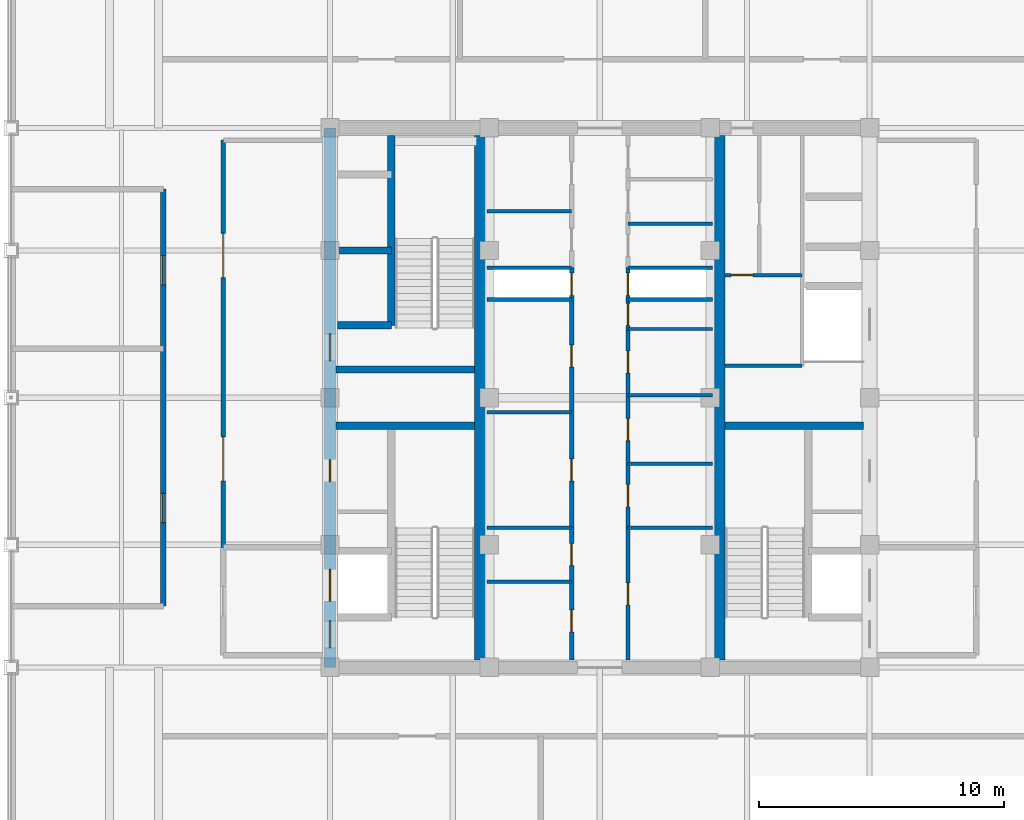
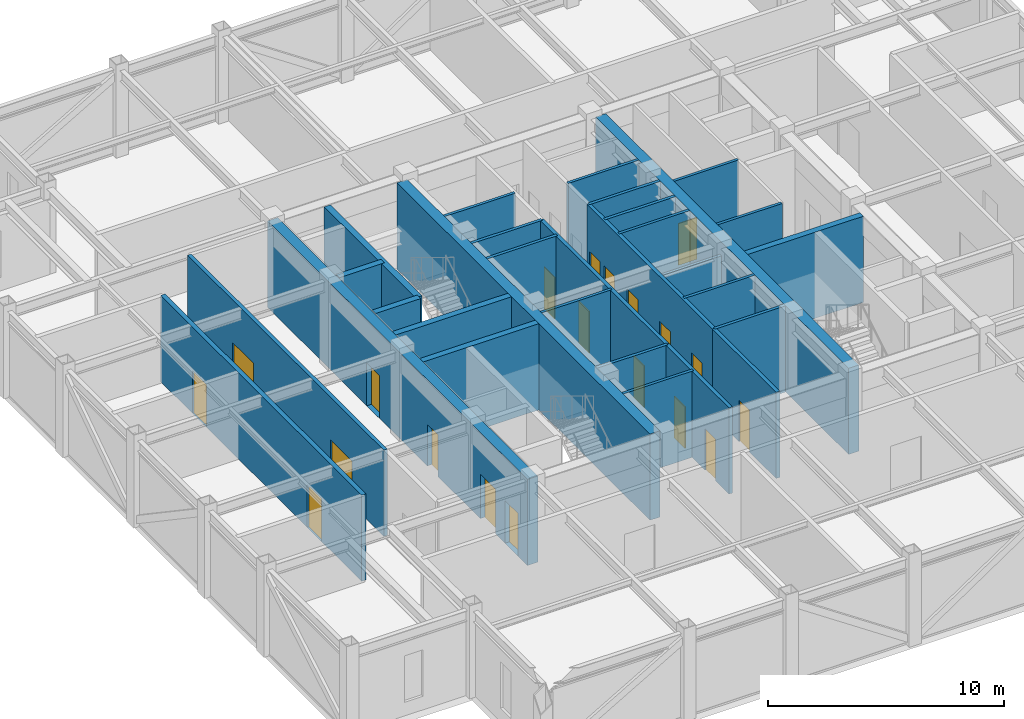
# One storey, part 24 of 27: 30 walls, 20 doors, 20 openings.
"""IFC4 building model written with IfcOpenShell, lengths in metres."""

from ifc_helpers import new_model, si_unit, direction, frame, frame_2d, origin, place, context, subcontext, project, spatial, rectangle, extrude, source, transform, mapped, material, layer, layer_set, type_object, element, fill, save


model = new_model("IFC4")

# Units and contexts
model_context = context("Model", 3, precision=1e-05, world=origin(), true_north=direction((0.0, 1.0)))
body_context = subcontext(model_context, "Body", "Model", "MODEL_VIEW")
ifc_project = project(units=[si_unit("LENGTHUNIT", "METRE"), si_unit("AREAUNIT", "SQUARE_METRE"), si_unit("VOLUMEUNIT", "CUBIC_METRE"), si_unit("PLANEANGLEUNIT", "RADIAN"), si_unit("MASSUNIT", "GRAM", prefix="KILO")], contexts=[model_context])

# Site, building, storey
site_placement = place(None, origin())
site = spatial("IfcSite", under=ifc_project, at=site_placement, CompositionType="ELEMENT")
building_placement = place(site_placement, origin())
building = spatial("IfcBuilding", under=site, at=building_placement, Name="Khorayat Bourse Tower", CompositionType="ELEMENT")
storey_placement = place(building_placement, frame((0.0, 0.0, 385.10009765625)))
storey = spatial("IfcBuildingStorey", under=building, at=storey_placement, Name="L91", CompositionType="ELEMENT", Elevation=385.10009765625)

# Wall, openings, doors
ifc_material_1 = material(Name="Concrete C52/65", Category="concrete")
ifc_layer_1 = layer(ifc_material_1, 0.5)
ifc_layer_set_1 = layer_set([ifc_layer_1], Name="Concrete C52/65")
wall_type_1 = type_object("IfcWallType", Name="WAL-CORE-500", PredefinedType="SHEAR", material=ifc_layer_set_1)
shared_shape_1 = source(origin(), body_context, "Body", "SweptSolid", [
    extrude(rectangle(XDim=22.0, YDim=0.5, at=frame_2d((11.0, 0.0))), origin(), (0.0, 0.0, 1.0), 4.449951171875),
])
wall_1_placement = place(storey_placement, frame((-11.0, -11.0, 0.0), z_axis=(0.0, 0.0, 1.0), x_axis=(0.0, 1.0, 0.0)))
wall_1 = element("IfcWall", 1, at=wall_1_placement, inside=storey, type_object=wall_type_1, Name="L91 Core Shear Wall CORE-W", PredefinedType="SHEAR", context=body_context, shape_type="MappedRepresentation", body=[
    mapped(shared_shape_1, transform((0.0, 0.0, 0.0), scale=1.0)),
])
shared_shape_2 = source(origin(), body_context, "Body", "SweptSolid", [
    extrude(rectangle(XDim=1.10009765625, YDim=2.199951171875, at=frame_2d((0.550048828125, 1.10009765625))), frame((0.0, 0.260009765625, 0.0), z_axis=(0.0, -1.0, 0.0), x_axis=(1.0, 0.0, 0.0)), (0.0, 0.0, 1.0), 0.52001953125),
])
opening_1_placement = place(wall_1_placement, frame((0.800048828125, 0.0, 0.0)))
opening_1 = element("IfcOpeningElement", 2, at=opening_1_placement, cuts=wall_1, Name="Opening DI-01", PredefinedType="OPENING", context=body_context, shape_type="MappedRepresentation", body=[
    mapped(shared_shape_2, transform((0.0, 0.0, 0.0), scale=1.0)),
])
opening_2_placement = place(wall_1_placement, frame((12.5, 0.0, 0.0)))
opening_2 = element("IfcOpeningElement", 3, at=opening_2_placement, cuts=wall_1, Name="Opening DI-01", PredefinedType="OPENING", context=body_context, shape_type="MappedRepresentation", body=[
    mapped(shared_shape_2, transform((0.0, 0.0, 0.0), scale=1.0)),
])
shared_shape_3 = source(origin(), body_context, "Body", "SweptSolid", [
    extrude(rectangle(XDim=0.89990234375, YDim=2.14990234375, at=frame_2d((0.449951171875, 1.074951171875))), frame((0.0, 0.260009765625, 0.0), z_axis=(0.0, -1.0, 0.0), x_axis=(1.0, 0.0, 0.0)), (0.0, 0.0, 1.0), 0.52001953125),
])
opening_3_placement = place(wall_1_placement, frame((7.574951171875, 0.0, 0.0)))
opening_3 = element("IfcOpeningElement", 4, at=opening_3_placement, cuts=wall_1, Name="Opening DI-06", PredefinedType="OPENING", context=body_context, shape_type="MappedRepresentation", body=[
    mapped(shared_shape_3, transform((0.0, 0.0, 0.0), scale=1.0)),
])
shared_shape_4 = source(origin(), body_context, "Body", "SweptSolid", [
    extrude(rectangle(XDim=1.300048828125, YDim=2.300048828125, at=frame_2d((0.64990234375, 1.14990234375))), frame((0.0, 0.260009765625, 0.0), z_axis=(0.0, -1.0, 0.0), x_axis=(1.0, 0.0, 0.0)), (0.0, 0.0, 1.0), 0.52001953125),
])
opening_4_placement = place(wall_1_placement, frame((2.699951171875, 0.0, 0.0)))
opening_4 = element("IfcOpeningElement", 5, at=opening_4_placement, cuts=wall_1, Name="Opening LD-02", PredefinedType="OPENING", context=body_context, shape_type="MappedRepresentation", body=[
    mapped(shared_shape_4, transform((0.0, 0.0, 0.0), scale=1.0)),
])
ifc_material_2 = material(Name="Fire-rated steel acoustic leaf", Category="steel")
door_type_1 = type_object("IfcDoorType", Name="DR-INT-STAIR-1100", OperationType="NOTDEFINED", PredefinedType="DOOR", material=ifc_material_2)
shared_shape_5 = source(origin(), body_context, "Body", "SweptSolid", [
    extrude(rectangle(XDim=1.10009765625, YDim=2.199951171875, at=frame_2d((0.550048828125, 1.10009765625))), frame((0.0, 0.02490234375, 0.0), z_axis=(0.0, -1.0, 0.0), x_axis=(1.0, 0.0, 0.0)), (0.0, 0.0, 1.0), 0.050048828125),
])
door_1_placement = place(opening_1_placement, origin())
door_1 = element("IfcDoor", 6, at=door_1_placement, inside=storey, type_object=door_type_1, Name="L91 Exit Stair 1 Door", OperationType="SINGLE_SWING_RIGHT", OverallHeight=2.199951171875, OverallWidth=1.10009765625, PredefinedType="DOOR", context=body_context, shape_type="MappedRepresentation", body=[
    mapped(shared_shape_5, transform((0.0, 0.0, 0.0), scale=1.0)),
])
fill(opening_1, door_1)
door_2_placement = place(opening_2_placement, origin())
door_2 = element("IfcDoor", 7, at=door_2_placement, inside=storey, type_object=door_type_1, Name="L91 Exit Stair 2 Door", OperationType="SINGLE_SWING_RIGHT", OverallHeight=2.199951171875, OverallWidth=1.10009765625, PredefinedType="DOOR", context=body_context, shape_type="MappedRepresentation", body=[
    mapped(shared_shape_5, transform((0.0, 0.0, 0.0), scale=1.0)),
])
fill(opening_2, door_2)
ifc_material_3 = material(Name="Moisture-resistant laminate washroom door")
door_type_2 = type_object("IfcDoorType", Name="DR-INT-WC-900", OperationType="NOTDEFINED", PredefinedType="DOOR", material=ifc_material_3)
shared_shape_6 = source(origin(), body_context, "Body", "SweptSolid", [
    extrude(rectangle(XDim=0.89990234375, YDim=2.14990234375, at=frame_2d((0.449951171875, 1.074951171875))), frame((0.0, 0.02490234375, 0.0), z_axis=(0.0, -1.0, 0.0), x_axis=(1.0, 0.0, 0.0)), (0.0, 0.0, 1.0), 0.050048828125),
])
door_3_placement = place(opening_3_placement, origin())
door_3 = element("IfcDoor", 8, at=door_3_placement, inside=storey, type_object=door_type_2, Name="L91 UPS Switch Plant Room Door", OperationType="SINGLE_SWING_RIGHT", OverallHeight=2.14990234375, OverallWidth=0.89990234375, PredefinedType="DOOR", context=body_context, shape_type="MappedRepresentation", body=[
    mapped(shared_shape_6, transform((0.0, 0.0, 0.0), scale=1.0)),
])
fill(opening_3, door_3)
ifc_material_4 = material(Name="Fire-rated stainless-steel sliding landing door", Category="steel")
door_type_3 = type_object("IfcDoorType", Name="DR-LIFT-FF-1300", OperationType="NOTDEFINED", PredefinedType="DOOR", material=ifc_material_4)
shared_shape_7 = source(origin(), body_context, "Body", "SweptSolid", [
    extrude(rectangle(XDim=1.300048828125, YDim=2.300048828125, at=frame_2d((0.64990234375, 1.14990234375))), frame((0.0, 0.02490234375, 0.0), z_axis=(0.0, -1.0, 0.0), x_axis=(1.0, 0.0, 0.0)), (0.0, 0.0, 1.0), 0.050048828125),
])
door_4_placement = place(opening_4_placement, origin())
door_4 = element("IfcDoor", 9, at=door_4_placement, inside=storey, type_object=door_type_3, Name="L91 Lift FFL-01 Sliding Landing Door", OperationType="SLIDING_TO_LEFT", OverallHeight=2.300048828125, OverallWidth=1.300048828125, PredefinedType="DOOR", context=body_context, shape_type="MappedRepresentation", body=[
    mapped(shared_shape_7, transform((0.0, 0.0, 0.0), scale=1.0)),
])
fill(opening_4, door_4)

# Walls
shared_shape_8 = source(origin(), body_context, "Body", "SweptSolid", [
    extrude(rectangle(XDim=21.39990234375, YDim=0.5, at=frame_2d((10.699951171875, 0.0))), origin(), (0.0, 0.0, 1.0), 4.449951171875),
])
for number, where, z_axis, x_axis, name in (
    (10, (-4.85009765625, -10.699951171875, 0.0), (0.0, 0.0, 1.0), (0.0, 1.0, 0.0), "L91 Core Shear Wall PIER-W"),
    (11, (4.85009765625, -10.699951171875, 0.0), (0.0, 0.0, 1.0), (0.0, 1.0, 0.0), "L91 Core Shear Wall PIER-E"),
):
    element("IfcWall", number, at=place(storey_placement, frame(where, z_axis=z_axis, x_axis=x_axis)), inside=storey, type_object=wall_type_1, Name=name, PredefinedType="SHEAR", context=body_context, shape_type="MappedRepresentation", body=[
        mapped(shared_shape_8, transform((0.0, 0.0, 0.0), scale=1.0)),
    ])
ifc_material_5 = material(Name="Concrete C50/60", Category="concrete")
ifc_layer_2 = layer(ifc_material_5, 0.300048828125)
ifc_layer_set_2 = layer_set([ifc_layer_2], Name="Concrete C50/60")
wall_type_2 = type_object("IfcWallType", Name="WAL-SHAFT-300", PredefinedType="SHEAR", material=ifc_layer_set_2)
shared_shape_9 = source(origin(), body_context, "Body", "SweptSolid", [
    extrude(rectangle(XDim=5.64990234375, YDim=0.300048828125, at=frame_2d((2.824951171875, 0.0))), origin(), (0.0, 0.0, 1.0), 4.449951171875),
])
for number, where, z_axis, x_axis, name in (
    (12, (-10.75, -1.14990234375, 0.0), (0.0, 0.0, 1.0), (1.0, 0.0, 0.0), "L91 Core Shear Wall ST1-DIV"),
    (13, (-10.75, 1.14990234375, 0.0), (0.0, 0.0, 1.0), (1.0, 0.0, 0.0), "L91 Core Shear Wall ST2-DIV"),
    (14, (5.10009765625, -1.14990234375, 0.0), (0.0, 0.0, 1.0), (1.0, 0.0, 0.0), "L91 Core Shear Wall ST3-DIV"),
):
    element("IfcWall", number, at=place(storey_placement, frame(where, z_axis=z_axis, x_axis=x_axis)), inside=storey, type_object=wall_type_2, Name=name, PredefinedType="SHEAR", context=body_context, shape_type="MappedRepresentation", body=[
        mapped(shared_shape_9, transform((0.0, 0.0, 0.0), scale=1.0)),
    ])
shared_shape_10 = source(origin(), body_context, "Body", "SweptSolid", [
    extrude(rectangle(XDim=2.199951171875, YDim=0.300048828125, at=frame_2d((1.10009765625, 0.0))), origin(), (0.0, 0.0, 1.0), 4.449951171875),
])
for number, where, z_axis, x_axis, name in (
    (15, (-10.699951171875, 2.949951171875, 0.0), (0.0, 0.0, 1.0), (1.0, 0.0, 0.0), "L91 Partition WAL-L91-WPIER-H1S"),
    (16, (-10.699951171875, 6.0, 0.0), (0.0, 0.0, 1.0), (1.0, 0.0, 0.0), "L91 Partition WAL-L91-WPIER-H12"),
):
    element("IfcWall", number, at=place(storey_placement, frame(where, z_axis=z_axis, x_axis=x_axis)), inside=storey, type_object=wall_type_2, Name=name, PredefinedType="SHEAR", context=body_context, shape_type="MappedRepresentation", body=[
        mapped(shared_shape_10, transform((0.0, 0.0, 0.0), scale=1.0)),
    ])
shared_shape_11 = source(origin(), body_context, "Body", "SweptSolid", [
    extrude(rectangle(XDim=7.75, YDim=0.300048828125, at=frame_2d((3.875, 0.0))), origin(), (0.0, 0.0, 1.0), 4.449951171875),
])
wall_2_placement = place(storey_placement, frame((-8.5, 2.949951171875, 0.0), z_axis=(0.0, 0.0, 1.0), x_axis=(0.0, 1.0, 0.0)))
element("IfcWall", 17, at=wall_2_placement, inside=storey, type_object=wall_type_2, Name="L91 Partition WAL-L91-WPIER-ST2S", PredefinedType="SHEAR", context=body_context, shape_type="MappedRepresentation", body=[
    mapped(shared_shape_11, transform((0.0, 0.0, 0.0), scale=1.0)),
])
ifc_material_6 = material(Name="Moisture-resistant masonry partition", Category="masonry")
ifc_layer_3 = layer(ifc_material_6, 0.139892578125)
ifc_layer_set_3 = layer_set([ifc_layer_3], Name="Moisture-resistant masonry partition")
wall_type_3 = type_object("IfcWallType", Name="WAL-PART-WET-140", PredefinedType="PARTITIONING", material=ifc_layer_set_3)
shared_shape_12 = source(origin(), body_context, "Body", "SweptSolid", [
    extrude(rectangle(XDim=3.14990234375, YDim=0.139892578125, at=frame_2d((1.574951171875, 0.0))), origin(), (0.0, 0.0, 1.0), 4.449951171875),
])
wall_3_placement = place(storey_placement, frame((5.10009765625, 1.300048828125, 0.0), z_axis=(0.0, 0.0, 1.0), x_axis=(1.0, 0.0, 0.0)))
element("IfcWall", 18, at=wall_3_placement, inside=storey, type_object=wall_type_3, Name="L91 Partition WAL-L91-ECORE-S", PredefinedType="PARTITIONING", context=body_context, shape_type="MappedRepresentation", body=[
    mapped(shared_shape_12, transform((0.0, 0.0, 0.0), scale=1.0)),
])

# Wall, opening, door
wall_4_placement = place(storey_placement, frame((5.10009765625, 5.0, 0.0), z_axis=(0.0, 0.0, 1.0), x_axis=(1.0, 0.0, 0.0)))
wall_4 = element("IfcWall", 19, at=wall_4_placement, inside=storey, type_object=wall_type_3, Name="L91 Partition WAL-L91-ECW-BOT", PredefinedType="PARTITIONING", context=body_context, shape_type="MappedRepresentation", body=[
    mapped(shared_shape_12, transform((0.0, 0.0, 0.0), scale=1.0)),
])
shared_shape_13 = source(origin(), body_context, "Body", "SweptSolid", [
    extrude(rectangle(XDim=0.89990234375, YDim=2.14990234375, at=frame_2d((0.449951171875, 1.074951171875))), frame((0.0, 0.079833984375, 0.0), z_axis=(0.0, -1.0, 0.0), x_axis=(1.0, 0.0, 0.0)), (0.0, 0.0, 1.0), 0.159912109375),
])
opening_5_placement = place(wall_4_placement, frame((0.25, 0.0, 0.0)))
opening_5 = element("IfcOpeningElement", 20, at=opening_5_placement, cuts=wall_4, Name="Opening DI-06", PredefinedType="OPENING", context=body_context, shape_type="MappedRepresentation", body=[
    mapped(shared_shape_13, transform((0.0, 0.0, 0.0), scale=1.0)),
])
door_5_placement = place(opening_5_placement, origin())
door_5 = element("IfcDoor", 21, at=door_5_placement, inside=storey, type_object=door_type_2, Name="L91 Shared Washroom Door", OperationType="SINGLE_SWING_LEFT", OverallHeight=2.14990234375, OverallWidth=0.89990234375, PredefinedType="DOOR", context=body_context, shape_type="MappedRepresentation", body=[
    mapped(shared_shape_6, transform((0.0, 0.0, 0.0), scale=1.0)),
])
fill(opening_5, door_5)

# Wall, openings, doors
ifc_material_7 = material(Name="Gypsum plasterboard acoustic stud wall")
ifc_layer_4 = layer(ifc_material_7, 0.179931640625)
ifc_layer_set_4 = layer_set([ifc_layer_4], Name="Gypsum plasterboard acoustic stud wall")
wall_type_4 = type_object("IfcWallType", Name="WAL-PART-CORR-180", PredefinedType="PARTITIONING", material=ifc_layer_set_4)
shared_shape_14 = source(origin(), body_context, "Body", "SweptSolid", [
    extrude(rectangle(XDim=16.60009765625, YDim=0.179931640625, at=frame_2d((8.300048828125, 0.0))), origin(), (0.0, 0.0, 1.0), 4.449951171875),
])
wall_5_placement = place(storey_placement, frame((-15.35009765625, -6.10009765625, 0.0), z_axis=(0.0, 0.0, 1.0), x_axis=(0.0, 1.0, 0.0)))
wall_5 = element("IfcWall", 22, at=wall_5_placement, inside=storey, type_object=wall_type_4, Name="L91 Partition WAL-L91-WLOB-W", PredefinedType="PARTITIONING", context=body_context, shape_type="MappedRepresentation", body=[
    mapped(shared_shape_14, transform((0.0, 0.0, 0.0), scale=1.0)),
])
shared_shape_15 = source(origin(), body_context, "Body", "SweptSolid", [
    extrude(rectangle(XDim=1.800048828125, YDim=2.25, at=frame_2d((0.89990234375, 1.125))), frame((0.0, 0.099853515625, 0.0), z_axis=(0.0, -1.0, 0.0), x_axis=(1.0, 0.0, 0.0)), (0.0, 0.0, 1.0), 0.199951171875),
])
opening_6_placement = place(wall_5_placement, frame((2.699951171875, 0.0, 0.0)))
opening_6 = element("IfcOpeningElement", 23, at=opening_6_placement, cuts=wall_5, Name="Opening DI-03", PredefinedType="OPENING", context=body_context, shape_type="MappedRepresentation", body=[
    mapped(shared_shape_15, transform((0.0, 0.0, 0.0), scale=1.0)),
])
opening_7_placement = place(wall_5_placement, frame((11.0, 0.0, 0.0)))
opening_7 = element("IfcOpeningElement", 24, at=opening_7_placement, cuts=wall_5, Name="Opening DI-03", PredefinedType="OPENING", context=body_context, shape_type="MappedRepresentation", body=[
    mapped(shared_shape_15, transform((0.0, 0.0, 0.0), scale=1.0)),
])
ifc_material_8 = material(Name="Fire-rated hardwood vision-panel double leaf", Category="wood")
door_type_4 = type_object("IfcDoorType", Name="DR-INT-CORR-1800", OperationType="NOTDEFINED", PredefinedType="DOOR", material=ifc_material_8)
shared_shape_16 = source(origin(), body_context, "Body", "SweptSolid", [
    extrude(rectangle(XDim=1.800048828125, YDim=2.25, at=frame_2d((0.89990234375, 1.125))), frame((0.0, 0.02490234375, 0.0), z_axis=(0.0, -1.0, 0.0), x_axis=(1.0, 0.0, 0.0)), (0.0, 0.0, 1.0), 0.050048828125),
])
door_6_placement = place(opening_6_placement, origin())
door_6 = element("IfcDoor", 25, at=door_6_placement, inside=storey, type_object=door_type_4, Name="L91 West Core Lobby South Door", OperationType="SINGLE_SWING_LEFT", OverallHeight=2.25, OverallWidth=1.800048828125, PredefinedType="DOOR", context=body_context, shape_type="MappedRepresentation", body=[
    mapped(shared_shape_16, transform((0.0, 0.0, 0.0), scale=1.0)),
])
fill(opening_6, door_6)
door_7_placement = place(opening_7_placement, origin())
door_7 = element("IfcDoor", 26, at=door_7_placement, inside=storey, type_object=door_type_4, Name="L91 West Core Lobby North Door", OperationType="SINGLE_SWING_RIGHT", OverallHeight=2.25, OverallWidth=1.800048828125, PredefinedType="DOOR", context=body_context, shape_type="MappedRepresentation", body=[
    mapped(shared_shape_16, transform((0.0, 0.0, 0.0), scale=1.0)),
])
fill(opening_7, door_7)

# Walls
ifc_material_9 = material(Name="Gypsum plasterboard twin-frame partition")
ifc_layer_5 = layer(ifc_material_9, 0.14990234375)
ifc_layer_set_5 = layer_set([ifc_layer_5], Name="Gypsum plasterboard twin-frame partition")
wall_type_5 = type_object("IfcWallType", Name="WAL-PART-SUITE-150", PredefinedType="PARTITIONING", material=ifc_layer_set_5)
shared_shape_17 = source(origin(), body_context, "Body", "SweptSolid", [
    extrude(rectangle(XDim=3.4501953125, YDim=0.14990234375, at=frame_2d((1.72509765625, 0.0))), origin(), (0.0, 0.0, 1.0), 4.449951171875),
])
for number, where, z_axis, x_axis, name in (
    (27, (-4.60009765625, 4.0, 0.0), (0.0, 0.0, 1.0), (1.0, 0.0, 0.0), "L91 Partition WAL-L91-CRSW-S"),
    (28, (1.14990234375, 4.0, 0.0), (0.0, 0.0, 1.0), (1.0, 0.0, 0.0), "L91 Partition WAL-L91-CRSE-S"),
    (29, (-4.60009765625, -5.300048828125, 0.0), (0.0, 0.0, 1.0), (1.0, 0.0, 0.0), "L91 Partition WAL-L91-FB1-NW"),
    (30, (1.14990234375, -5.300048828125, 0.0), (0.0, 0.0, 1.0), (1.0, 0.0, 0.0), "L91 Partition WAL-L91-FB1-NE"),
    (31, (-4.60009765625, 5.300048828125, 0.0), (0.0, 0.0, 1.0), (1.0, 0.0, 0.0), "L91 Partition WAL-L91-FB2-SW"),
    (32, (1.14990234375, 5.300048828125, 0.0), (0.0, 0.0, 1.0), (1.0, 0.0, 0.0), "L91 Partition WAL-L91-FB2-SE"),
):
    element("IfcWall", number, at=place(storey_placement, frame(where, z_axis=z_axis, x_axis=x_axis)), inside=storey, type_object=wall_type_5, Name=name, PredefinedType="PARTITIONING", context=body_context, shape_type="MappedRepresentation", body=[
        mapped(shared_shape_17, transform((0.0, 0.0, 0.0), scale=1.0)),
    ])
shared_shape_18 = source(origin(), body_context, "Body", "SweptSolid", [
    extrude(rectangle(XDim=3.4501953125, YDim=0.139892578125, at=frame_2d((1.72509765625, 0.0))), origin(), (0.0, 0.0, 1.0), 4.449951171875),
])
for number, where, z_axis, x_axis, name in (
    (33, (-4.60009765625, -7.5, 0.0), (0.0, 0.0, 1.0), (1.0, 0.0, 0.0), "L91 Partition WAL-L91-FB1W-D1"),
    (34, (-4.60009765625, 7.60009765625, 0.0), (0.0, 0.0, 1.0), (1.0, 0.0, 0.0), "L91 Partition WAL-L91-FB2W-D1"),
    (35, (1.14990234375, 7.10009765625, 0.0), (0.0, 0.0, 1.0), (1.0, 0.0, 0.0), "L91 Partition WAL-L91-FB2E-D1"),
    (36, (-4.60009765625, -0.60009765625, 0.0), (0.0, 0.0, 1.0), (1.0, 0.0, 0.0), "L91 Partition WAL-L91-CMW-D1"),
    (37, (1.14990234375, -2.699951171875, 0.0), (0.0, 0.0, 1.0), (1.0, 0.0, 0.0), "L91 Partition WAL-L91-CME-D1"),
    (38, (1.14990234375, 2.800048828125, 0.0), (0.0, 0.0, 1.0), (1.0, 0.0, 0.0), "L91 Partition WAL-L91-CME-D3"),
):
    element("IfcWall", number, at=place(storey_placement, frame(where, z_axis=z_axis, x_axis=x_axis)), inside=storey, type_object=wall_type_3, Name=name, PredefinedType="PARTITIONING", context=body_context, shape_type="MappedRepresentation", body=[
        mapped(shared_shape_18, transform((0.0, 0.0, 0.0), scale=1.0)),
    ])

# Wall, openings, doors
shared_shape_19 = source(origin(), body_context, "Body", "SweptSolid", [
    extrude(rectangle(XDim=5.39990234375, YDim=0.179931640625, at=frame_2d((2.699951171875, 0.0))), origin(), (0.0, 0.0, 1.0), 4.449951171875),
])
wall_6_placement = place(storey_placement, frame((-1.14990234375, -10.699951171875, 0.0), z_axis=(0.0, 0.0, 1.0), x_axis=(0.0, 1.0, 0.0)))
wall_6 = element("IfcWall", 39, at=wall_6_placement, inside=storey, type_object=wall_type_4, Name="L91 Partition WAL-L91-FB1W-L", PredefinedType="PARTITIONING", context=body_context, shape_type="MappedRepresentation", body=[
    mapped(shared_shape_19, transform((0.0, 0.0, 0.0), scale=1.0)),
])
shared_shape_20 = source(origin(), body_context, "Body", "SweptSolid", [
    extrude(rectangle(XDim=0.89990234375, YDim=2.14990234375, at=frame_2d((0.449951171875, 1.074951171875))), frame((0.0, 0.099853515625, 0.0), z_axis=(0.0, -1.0, 0.0), x_axis=(1.0, 0.0, 0.0)), (0.0, 0.0, 1.0), 0.199951171875),
])
opening_8_placement = place(wall_6_placement, frame((1.14990234375, 0.0, 0.0)))
opening_8 = element("IfcOpeningElement", 40, at=opening_8_placement, cuts=wall_6, Name="Opening DI-06", PredefinedType="OPENING", context=body_context, shape_type="MappedRepresentation", body=[
    mapped(shared_shape_20, transform((0.0, 0.0, 0.0), scale=1.0)),
])
opening_9_placement = place(wall_6_placement, frame((3.85009765625, 0.0, 0.0)))
opening_9 = element("IfcOpeningElement", 41, at=opening_9_placement, cuts=wall_6, Name="Opening DI-06", PredefinedType="OPENING", context=body_context, shape_type="MappedRepresentation", body=[
    mapped(shared_shape_20, transform((0.0, 0.0, 0.0), scale=1.0)),
])
door_8_placement = place(opening_8_placement, origin())
door_8 = element("IfcDoor", 42, at=door_8_placement, inside=storey, type_object=door_type_2, Name="L91 Records Vault Store Door", OperationType="SINGLE_SWING_RIGHT", OverallHeight=2.14990234375, OverallWidth=0.89990234375, PredefinedType="DOOR", context=body_context, shape_type="MappedRepresentation", body=[
    mapped(shared_shape_6, transform((0.0, 0.0, 0.0), scale=1.0)),
])
fill(opening_8, door_8)
door_9_placement = place(opening_9_placement, origin())
door_9 = element("IfcDoor", 43, at=door_9_placement, inside=storey, type_object=door_type_2, Name="L91 Sprinkler Valve Plant Room Door", OperationType="SINGLE_SWING_LEFT", OverallHeight=2.14990234375, OverallWidth=0.89990234375, PredefinedType="DOOR", context=body_context, shape_type="MappedRepresentation", body=[
    mapped(shared_shape_6, transform((0.0, 0.0, 0.0), scale=1.0)),
])
fill(opening_9, door_9)

# Wall, opening, door
wall_7_placement = place(storey_placement, frame((1.14990234375, -10.699951171875, 0.0), z_axis=(0.0, 0.0, 1.0), x_axis=(0.0, 1.0, 0.0)))
wall_7 = element("IfcWall", 44, at=wall_7_placement, inside=storey, type_object=wall_type_4, Name="L91 Partition WAL-L91-FB1E-L", PredefinedType="PARTITIONING", context=body_context, shape_type="MappedRepresentation", body=[
    mapped(shared_shape_19, transform((0.0, 0.0, 0.0), scale=1.0)),
])
opening_10_placement = place(wall_7_placement, frame((2.25, 0.0, 0.0)))
opening_10 = element("IfcOpeningElement", 45, at=opening_10_placement, cuts=wall_7, Name="Opening DI-06", PredefinedType="OPENING", context=body_context, shape_type="MappedRepresentation", body=[
    mapped(shared_shape_20, transform((0.0, 0.0, 0.0), scale=1.0)),
])
door_10_placement = place(opening_10_placement, origin())
door_10 = element("IfcDoor", 46, at=door_10_placement, inside=storey, type_object=door_type_2, Name="L91 Telemetry Server Plant Room Door", OperationType="SINGLE_SWING_RIGHT", OverallHeight=2.14990234375, OverallWidth=0.89990234375, PredefinedType="DOOR", context=body_context, shape_type="MappedRepresentation", body=[
    mapped(shared_shape_6, transform((0.0, 0.0, 0.0), scale=1.0)),
])
fill(opening_10, door_10)

# Wall, openings, doors
shared_shape_21 = source(origin(), body_context, "Body", "SweptSolid", [
    extrude(rectangle(XDim=10.60009765625, YDim=0.179931640625, at=frame_2d((5.300048828125, 0.0))), origin(), (0.0, 0.0, 1.0), 4.449951171875),
])
wall_8_placement = place(storey_placement, frame((-1.14990234375, -5.300048828125, 0.0), z_axis=(0.0, 0.0, 1.0), x_axis=(0.0, 1.0, 0.0)))
wall_8 = element("IfcWall", 47, at=wall_8_placement, inside=storey, type_object=wall_type_4, Name="L91 Partition WAL-L91-CMW-L", PredefinedType="PARTITIONING", context=body_context, shape_type="MappedRepresentation", body=[
    mapped(shared_shape_21, transform((0.0, 0.0, 0.0), scale=1.0)),
])
opening_11_placement = place(wall_8_placement, frame((1.89990234375, 0.0, 0.0)))
opening_11 = element("IfcOpeningElement", 48, at=opening_11_placement, cuts=wall_8, Name="Opening DI-06", PredefinedType="OPENING", context=body_context, shape_type="MappedRepresentation", body=[
    mapped(shared_shape_20, transform((0.0, 0.0, 0.0), scale=1.0)),
])
opening_12_placement = place(wall_8_placement, frame((6.550048828125, 0.0, 0.0)))
opening_12 = element("IfcOpeningElement", 49, at=opening_12_placement, cuts=wall_8, Name="Opening DI-06", PredefinedType="OPENING", context=body_context, shape_type="MappedRepresentation", body=[
    mapped(shared_shape_20, transform((0.0, 0.0, 0.0), scale=1.0)),
])
opening_13_placement = place(wall_8_placement, frame((9.47509765625, 0.0, 0.0)))
opening_13 = element("IfcOpeningElement", 50, at=opening_13_placement, cuts=wall_8, Name="Opening DI-06", PredefinedType="OPENING", context=body_context, shape_type="MappedRepresentation", body=[
    mapped(shared_shape_20, transform((0.0, 0.0, 0.0), scale=1.0)),
])
door_11_placement = place(opening_11_placement, origin())
door_11 = element("IfcDoor", 51, at=door_11_placement, inside=storey, type_object=door_type_2, Name="L91 Male Core Washroom Door", OperationType="SINGLE_SWING_RIGHT", OverallHeight=2.14990234375, OverallWidth=0.89990234375, PredefinedType="DOOR", context=body_context, shape_type="MappedRepresentation", body=[
    mapped(shared_shape_6, transform((0.0, 0.0, 0.0), scale=1.0)),
])
fill(opening_11, door_11)
door_12_placement = place(opening_12_placement, origin())
door_12 = element("IfcDoor", 52, at=door_12_placement, inside=storey, type_object=door_type_2, Name="L91 Chilled Water Riser Plant Room Door", OperationType="SINGLE_SWING_LEFT", OverallHeight=2.14990234375, OverallWidth=0.89990234375, PredefinedType="DOOR", context=body_context, shape_type="MappedRepresentation", body=[
    mapped(shared_shape_6, transform((0.0, 0.0, 0.0), scale=1.0)),
])
fill(opening_12, door_12)
door_13_placement = place(opening_13_placement, origin())
door_13 = element("IfcDoor", 53, at=door_13_placement, inside=storey, type_object=door_type_2, Name="L91 West Core Riser Door", OperationType="SINGLE_SWING_LEFT", OverallHeight=2.14990234375, OverallWidth=0.89990234375, PredefinedType="DOOR", context=body_context, shape_type="MappedRepresentation", body=[
    mapped(shared_shape_6, transform((0.0, 0.0, 0.0), scale=1.0)),
])
fill(opening_13, door_13)

wall_9_placement = place(storey_placement, frame((1.14990234375, -5.300048828125, 0.0), z_axis=(0.0, 0.0, 1.0), x_axis=(0.0, 1.0, 0.0)))
wall_9 = element("IfcWall", 54, at=wall_9_placement, inside=storey, type_object=wall_type_4, Name="L91 Partition WAL-L91-CME-L", PredefinedType="PARTITIONING", context=body_context, shape_type="MappedRepresentation", body=[
    mapped(shared_shape_21, transform((0.0, 0.0, 0.0), scale=1.0)),
])
opening_14_placement = place(wall_9_placement, frame((0.85009765625, 0.0, 0.0)))
opening_14 = element("IfcOpeningElement", 55, at=opening_14_placement, cuts=wall_9, Name="Opening DI-06", PredefinedType="OPENING", context=body_context, shape_type="MappedRepresentation", body=[
    mapped(shared_shape_20, transform((0.0, 0.0, 0.0), scale=1.0)),
])
opening_15_placement = place(wall_9_placement, frame((3.550048828125, 0.0, 0.0)))
opening_15 = element("IfcOpeningElement", 56, at=opening_15_placement, cuts=wall_9, Name="Opening DI-06", PredefinedType="OPENING", context=body_context, shape_type="MappedRepresentation", body=[
    mapped(shared_shape_20, transform((0.0, 0.0, 0.0), scale=1.0)),
])
opening_16_placement = place(wall_9_placement, frame((6.300048828125, 0.0, 0.0)))
opening_16 = element("IfcOpeningElement", 57, at=opening_16_placement, cuts=wall_9, Name="Opening DI-06", PredefinedType="OPENING", context=body_context, shape_type="MappedRepresentation", body=[
    mapped(shared_shape_20, transform((0.0, 0.0, 0.0), scale=1.0)),
])
opening_17_placement = place(wall_9_placement, frame((8.25, 0.0, 0.0)))
opening_17 = element("IfcOpeningElement", 58, at=opening_17_placement, cuts=wall_9, Name="Opening DI-06", PredefinedType="OPENING", context=body_context, shape_type="MappedRepresentation", body=[
    mapped(shared_shape_20, transform((0.0, 0.0, 0.0), scale=1.0)),
])
opening_18_placement = place(wall_9_placement, frame((9.47509765625, 0.0, 0.0)))
opening_18 = element("IfcOpeningElement", 59, at=opening_18_placement, cuts=wall_9, Name="Opening DI-06", PredefinedType="OPENING", context=body_context, shape_type="MappedRepresentation", body=[
    mapped(shared_shape_20, transform((0.0, 0.0, 0.0), scale=1.0)),
])
door_14_placement = place(opening_14_placement, origin())
door_14 = element("IfcDoor", 60, at=door_14_placement, inside=storey, type_object=door_type_2, Name="L91 Female Core Washroom Door", OperationType="SINGLE_SWING_RIGHT", OverallHeight=2.14990234375, OverallWidth=0.89990234375, PredefinedType="DOOR", context=body_context, shape_type="MappedRepresentation", body=[
    mapped(shared_shape_6, transform((0.0, 0.0, 0.0), scale=1.0)),
])
fill(opening_14, door_14)
door_15_placement = place(opening_15_placement, origin())
door_15 = element("IfcDoor", 61, at=door_15_placement, inside=storey, type_object=door_type_2, Name="L91 Comms Patch Room Door", OperationType="SINGLE_SWING_LEFT", OverallHeight=2.14990234375, OverallWidth=0.89990234375, PredefinedType="DOOR", context=body_context, shape_type="MappedRepresentation", body=[
    mapped(shared_shape_6, transform((0.0, 0.0, 0.0), scale=1.0)),
])
fill(opening_15, door_15)
door_16_placement = place(opening_16_placement, origin())
door_16 = element("IfcDoor", 62, at=door_16_placement, inside=storey, type_object=door_type_2, Name="L91 Janitor Cupboard Door", OperationType="SINGLE_SWING_RIGHT", OverallHeight=2.14990234375, OverallWidth=0.89990234375, PredefinedType="DOOR", context=body_context, shape_type="MappedRepresentation", body=[
    mapped(shared_shape_6, transform((0.0, 0.0, 0.0), scale=1.0)),
])
fill(opening_16, door_16)
door_17_placement = place(opening_17_placement, origin())
door_17 = element("IfcDoor", 63, at=door_17_placement, inside=storey, type_object=door_type_2, Name="L91 Fire Valve Plant Room Door", OperationType="SINGLE_SWING_LEFT", OverallHeight=2.14990234375, OverallWidth=0.89990234375, PredefinedType="DOOR", context=body_context, shape_type="MappedRepresentation", body=[
    mapped(shared_shape_6, transform((0.0, 0.0, 0.0), scale=1.0)),
])
fill(opening_17, door_17)
door_18_placement = place(opening_18_placement, origin())
door_18 = element("IfcDoor", 64, at=door_18_placement, inside=storey, type_object=door_type_2, Name="L91 East Core Riser Door", OperationType="SINGLE_SWING_RIGHT", OverallHeight=2.14990234375, OverallWidth=0.89990234375, PredefinedType="DOOR", context=body_context, shape_type="MappedRepresentation", body=[
    mapped(shared_shape_6, transform((0.0, 0.0, 0.0), scale=1.0)),
])
fill(opening_18, door_18)

# Wall
shared_shape_22 = source(origin(), body_context, "Body", "SweptSolid", [
    extrude(rectangle(XDim=3.4501953125, YDim=0.139892578125, at=frame_2d((1.72509765625, 0.0))), origin(), (0.0, 0.0, 1.0), 3.7548828125),
])
wall_10_placement = place(storey_placement, frame((1.14990234375, 0.10009765625, 0.0), z_axis=(0.0, 0.0, 1.0), x_axis=(1.0, 0.0, 0.0)))
element("IfcWall", 65, at=wall_10_placement, inside=storey, type_object=wall_type_3, Name="L91 Partition WAL-L91-CME-D2", PredefinedType="PARTITIONING", context=body_context, shape_type="MappedRepresentation", body=[
    mapped(shared_shape_22, transform((0.0, 0.0, 0.0), scale=1.0)),
])

# Wall, openings, doors
ifc_material_10 = material(Name="Aerated concrete blockwork", Category="masonry")
ifc_layer_6 = layer(ifc_material_10, 0.219970703125)
ifc_layer_set_6 = layer_set([ifc_layer_6], Name="Aerated concrete blockwork")
wall_type_6 = type_object("IfcWallType", Name="WAL-PART-FF-220", PredefinedType="PARTITIONING", material=ifc_layer_set_6)
shared_shape_23 = source(origin(), body_context, "Body", "SweptSolid", [
    extrude(rectangle(XDim=17.0, YDim=0.219970703125, at=frame_2d((8.5, 0.0))), origin(), (0.0, 0.0, 1.0), 4.449951171875),
])
wall_11_placement = place(storey_placement, frame((-17.800048828125, -8.5, 0.0), z_axis=(0.0, 0.0, 1.0), x_axis=(0.0, 1.0, 0.0)))
wall_11 = element("IfcWall", 66, at=wall_11_placement, inside=storey, type_object=wall_type_6, Name="L91 Partition WAL-L91-PLW-E", PredefinedType="PARTITIONING", context=body_context, shape_type="MappedRepresentation", body=[
    mapped(shared_shape_23, transform((0.0, 0.0, 0.0), scale=1.0)),
])
shared_shape_24 = source(origin(), body_context, "Body", "SweptSolid", [
    extrude(rectangle(XDim=1.199951171875, YDim=2.199951171875, at=frame_2d((0.60009765625, 1.10009765625))), frame((0.0, 0.119873046875, 0.0), z_axis=(0.0, -1.0, 0.0), x_axis=(1.0, 0.0, 0.0)), (0.0, 0.0, 1.0), 0.239990234375),
])
opening_19_placement = place(wall_11_placement, frame((3.39990234375, 0.0, 0.0)))
opening_19 = element("IfcOpeningElement", 67, at=opening_19_placement, cuts=wall_11, Name="Opening DI-02", PredefinedType="OPENING", context=body_context, shape_type="MappedRepresentation", body=[
    mapped(shared_shape_24, transform((0.0, 0.0, 0.0), scale=1.0)),
])
opening_20_placement = place(wall_11_placement, frame((13.10009765625, 0.0, 0.0)))
opening_20 = element("IfcOpeningElement", 68, at=opening_20_placement, cuts=wall_11, Name="Opening DI-02", PredefinedType="OPENING", context=body_context, shape_type="MappedRepresentation", body=[
    mapped(shared_shape_24, transform((0.0, 0.0, 0.0), scale=1.0)),
])
ifc_material_11 = material(Name="Fire-rated steel double-seal leaf", Category="steel")
door_type_5 = type_object("IfcDoorType", Name="DR-INT-FFLOBBY-1200", OperationType="NOTDEFINED", PredefinedType="DOOR", material=ifc_material_11)
shared_shape_25 = source(origin(), body_context, "Body", "SweptSolid", [
    extrude(rectangle(XDim=1.199951171875, YDim=2.199951171875, at=frame_2d((0.60009765625, 1.10009765625))), frame((0.0, 0.02490234375, 0.0), z_axis=(0.0, -1.0, 0.0), x_axis=(1.0, 0.0, 0.0)), (0.0, 0.0, 1.0), 0.050048828125),
])
door_19_placement = place(opening_19_placement, origin())
door_19 = element("IfcDoor", 69, at=door_19_placement, inside=storey, type_object=door_type_5, Name="L91 Heat Recovery Plant South Door", OperationType="SINGLE_SWING_LEFT", OverallHeight=2.199951171875, OverallWidth=1.199951171875, PredefinedType="DOOR", context=body_context, shape_type="MappedRepresentation", body=[
    mapped(shared_shape_25, transform((0.0, 0.0, 0.0), scale=1.0)),
])
fill(opening_19, door_19)
door_20_placement = place(opening_20_placement, origin())
door_20 = element("IfcDoor", 70, at=door_20_placement, inside=storey, type_object=door_type_5, Name="L91 Lighting Control Door", OperationType="SINGLE_SWING_RIGHT", OverallHeight=2.199951171875, OverallWidth=1.199951171875, PredefinedType="DOOR", context=body_context, shape_type="MappedRepresentation", body=[
    mapped(shared_shape_25, transform((0.0, 0.0, 0.0), scale=1.0)),
])
fill(opening_20, door_20)

save(model, "model.ifc")
